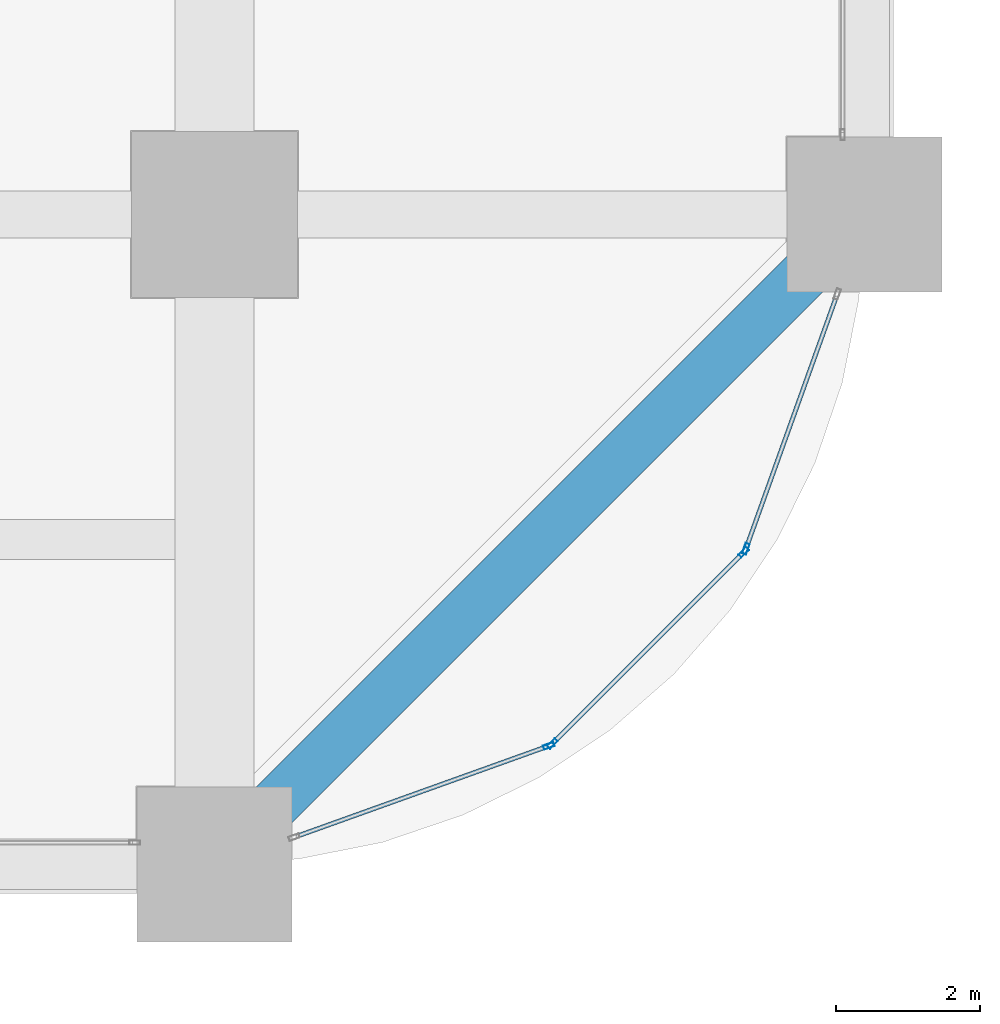
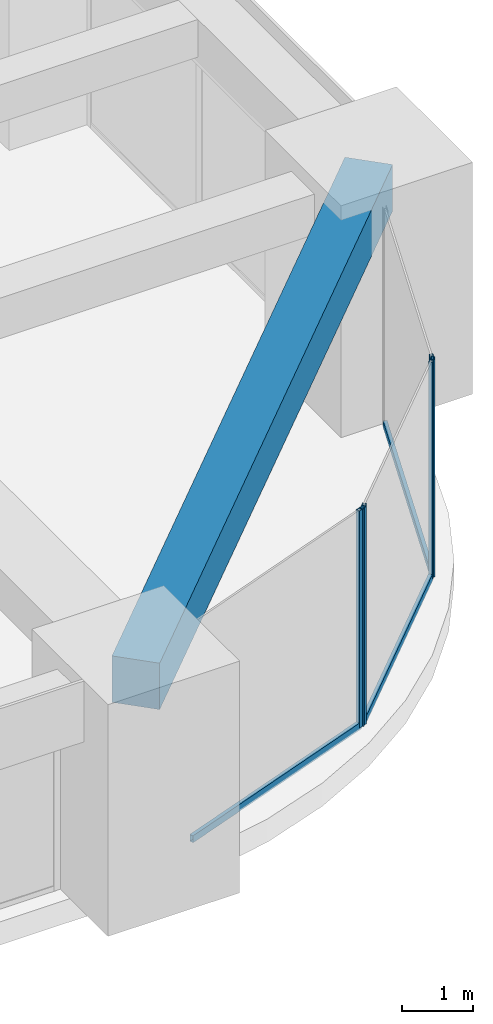
# One storey, part 17 of 50: 7 members, 1 beam, 3 elements without a shape of their own.
"""IFC4 building model written with IfcOpenShell, lengths in metres."""

from ifc_helpers import new_model, si_unit, direction, frame, origin, origin_2d, place, context, subcontext, project, spatial, rectangle, hollow_rectangle, extrude, material, material_profile, profile_set, type_object, element, aggregate, save


model = new_model("IFC4")

# Units and contexts
model_context = context("Model", 3, precision=1e-05, world=origin(), true_north=direction((0.0, 1.0)))
body_context = subcontext(model_context, "Body", "Model", "MODEL_VIEW")
ifc_project = project(units=[si_unit("LENGTHUNIT", "METRE"), si_unit("AREAUNIT", "SQUARE_METRE"), si_unit("VOLUMEUNIT", "CUBIC_METRE"), si_unit("PLANEANGLEUNIT", "RADIAN"), si_unit("MASSUNIT", "GRAM", prefix="KILO")], contexts=[model_context])

# Site, building, storey
site_placement = place(None, origin())
site = spatial("IfcSite", under=ifc_project, at=site_placement, CompositionType="ELEMENT")
building_placement = place(site_placement, origin())
building = spatial("IfcBuilding", under=site, at=building_placement, Name="Zorevar Civic Tower", CompositionType="ELEMENT")
storey_placement = place(building_placement, frame((0.0, 0.0, 85.0)))
storey = spatial("IfcBuildingStorey", under=building, at=storey_placement, Name="L20", CompositionType="ELEMENT", Elevation=85.0)

# Curtain wall, member
ifc_material_1 = material(Name="Dark grey solar-control glass in black aluminium frame", Category="aluminium")
curtain_wall_type = type_object("IfcCurtainWallType", Name="Curtain wall CW3 mid zone", PredefinedType="NOTDEFINED", material=ifc_material_1)
curtain_wall_1_placement = place(storey_placement, origin())
curtain_wall_1 = element("IfcCurtainWall", 1, at=curtain_wall_1_placement, inside=storey, type_object=curtain_wall_type, Name="CW3 L20", PredefinedType="NOTDEFINED")
ifc_material_2 = material(Name="Aluminium, black anodised", Category="aluminium")
ifc_material_profile_1 = material_profile(ifc_material_2, hollow_rectangle(XDim=0.06005859375, YDim=0.14990234375, WallThickness=0.00390625, at=origin_2d()), Name="AL 150x60x4")
ifc_profile_set_1 = profile_set([ifc_material_profile_1], Name="Aluminium, black anodised")
member_type_1 = type_object("IfcMemberType", Name="CW3 mullion AL 150x60x4", PredefinedType="MULLION", material=ifc_profile_set_1)
member_1_placement = place(storey_placement, frame((58.629150390625, 1.6416015625, 0.0), z_axis=(0.0, 0.0, 1.0), x_axis=(-0.337622523614, 0.941281589934, 0.0)))
member_1 = element("IfcMember", 2, at=member_1_placement, type_object=member_type_1, Name="CW3 mullion 2", PredefinedType="MULLION", context=body_context, shape_type="SweptSolid", body=[
    extrude(hollow_rectangle(XDim=0.06005859375, YDim=0.14990234375, WallThickness=0.00390625, at=origin_2d()), origin(), (0.0, 0.0, 1.0), 3.75),
])

# Curtain wall, members
curtain_wall_2_placement = place(storey_placement, origin())
curtain_wall_2 = element("IfcCurtainWall", 3, at=curtain_wall_2_placement, inside=storey, type_object=curtain_wall_type, Name="CW3 L20", PredefinedType="NOTDEFINED")
member_2_placement = place(storey_placement, frame((58.678466796875, 1.6728515625, 0.0), z_axis=(0.0, 0.0, 1.0), x_axis=(-0.707106781187, 0.707106781187, 0.0)))
member_2 = element("IfcMember", 4, at=member_2_placement, type_object=member_type_1, Name="CW3 mullion 1", PredefinedType="MULLION", context=body_context, shape_type="SweptSolid", body=[
    extrude(hollow_rectangle(XDim=0.06005859375, YDim=0.14990234375, WallThickness=0.00390625, at=origin_2d()), origin(), (0.0, 0.0, 1.0), 3.75),
])
member_3_placement = place(storey_placement, frame((61.3271484375, 4.321533203125, 0.0), z_axis=(0.0, 0.0, 1.0), x_axis=(-0.707106781187, 0.707106781187, 0.0)))
member_3 = element("IfcMember", 5, at=member_3_placement, type_object=member_type_1, Name="CW3 mullion 2", PredefinedType="MULLION", context=body_context, shape_type="SweptSolid", body=[
    extrude(hollow_rectangle(XDim=0.06005859375, YDim=0.14990234375, WallThickness=0.00390625, at=origin_2d()), origin(), (0.0, 0.0, 1.0), 3.75),
])

# Curtain wall, member
curtain_wall_3_placement = place(storey_placement, origin())
curtain_wall_3 = element("IfcCurtainWall", 6, at=curtain_wall_3_placement, inside=storey, type_object=curtain_wall_type, Name="CW3 L20", PredefinedType="NOTDEFINED")
member_4_placement = place(storey_placement, frame((61.3583984375, 4.370849609375, 0.0), z_axis=(0.0, 0.0, 1.0), x_axis=(-0.941281589934, 0.337622523614, 0.0)))
member_4 = element("IfcMember", 7, at=member_4_placement, type_object=member_type_1, Name="CW3 mullion 1", PredefinedType="MULLION", context=body_context, shape_type="SweptSolid", body=[
    extrude(hollow_rectangle(XDim=0.06005859375, YDim=0.14990234375, WallThickness=0.00390625, at=origin_2d()), origin(), (0.0, 0.0, 1.0), 3.75),
])

# Member
ifc_material_3 = material(Name="Aluminium, black anodised", Category="aluminium")
ifc_material_profile_2 = material_profile(ifc_material_3, hollow_rectangle(XDim=0.06005859375, YDim=0.1201171875, WallThickness=0.0029296875, at=origin_2d()), Name="AL 120x60x3")
ifc_profile_set_2 = profile_set([ifc_material_profile_2], Name="Aluminium, black anodised")
member_type_2 = type_object("IfcMemberType", Name="CW3 transom AL 120x60x3", PredefinedType="USERDEFINED", material=ifc_profile_set_2)
member_5_placement = place(storey_placement, frame((55.131591796875, 0.386962890625, 0.030029296875), z_axis=(0.941279438392, 0.33762852199, 0.0), x_axis=(-0.33762852199, 0.941279438392, 0.0)))
member_5 = element("IfcMember", 8, at=member_5_placement, type_object=member_type_2, Name="CW3 sill transom", ObjectType="TRANSOM", PredefinedType="USERDEFINED", context=body_context, shape_type="SweptSolid", body=[
    extrude(hollow_rectangle(XDim=0.06005859375, YDim=0.1201171875, WallThickness=0.0029296875, at=origin_2d()), origin(), (0.0, 0.0, 1.0), 3.685546875),
])

aggregate(curtain_wall_1, [member_1, member_5])

member_6_placement = place(storey_placement, frame((58.69970703125, 1.694091796875, 0.030029296875), z_axis=(0.707106781187, 0.707106781187, 0.0), x_axis=(-0.707106781187, 0.707106781187, 0.0)))
member_6 = element("IfcMember", 9, at=member_6_placement, type_object=member_type_2, Name="CW3 sill transom", ObjectType="TRANSOM", PredefinedType="USERDEFINED", context=body_context, shape_type="SweptSolid", body=[
    extrude(hollow_rectangle(XDim=0.06005859375, YDim=0.1201171875, WallThickness=0.0029296875, at=origin_2d()), origin(), (0.0, 0.0, 1.0), 3.685791015625),
])

aggregate(curtain_wall_2, [member_2, member_3, member_6])

member_7_placement = place(storey_placement, frame((61.36865234375, 4.399169921875, 0.030029296875), z_axis=(0.33762852199, 0.941279438392, 0.0), x_axis=(-0.941279438392, 0.33762852199, 0.0)))
member_7 = element("IfcMember", 10, at=member_7_placement, type_object=member_type_2, Name="CW3 sill transom", ObjectType="TRANSOM", PredefinedType="USERDEFINED", context=body_context, shape_type="SweptSolid", body=[
    extrude(hollow_rectangle(XDim=0.06005859375, YDim=0.1201171875, WallThickness=0.0029296875, at=origin_2d()), origin(), (0.0, 0.0, 1.0), 3.685546875),
])

aggregate(curtain_wall_3, [member_4, member_7])

# Beam
ifc_material_4 = material(Name="Concrete C50/60", Category="concrete")
ifc_material_profile_3 = material_profile(ifc_material_4, rectangle(XDim=0.699951171875, YDim=0.800048828125, at=origin_2d()), Name="RC 700x800")
ifc_profile_set_3 = profile_set([ifc_material_profile_3], Name="Concrete C50/60")
beam_type = type_object("IfcBeamType", Name="Edge beam RC 700x800", PredefinedType="SPANDREL", material=ifc_profile_set_3)
beam_placement = place(storey_placement, frame((54.0, 0.0, 3.35009765625), z_axis=(0.707106781187, 0.707106781187, 0.0), x_axis=(-0.707106781187, 0.707106781187, 0.0)))
element("IfcBeam", 11, at=beam_placement, inside=storey, type_object=beam_type, Name="Corner edge beam L21", PredefinedType="SPANDREL", context=body_context, shape_type="SweptSolid", body=[
    extrude(rectangle(XDim=0.699951171875, YDim=0.800048828125, at=origin_2d()), origin(), (0.0, 0.0, 1.0), 12.72802734375),
])

save(model, "model.ifc")
